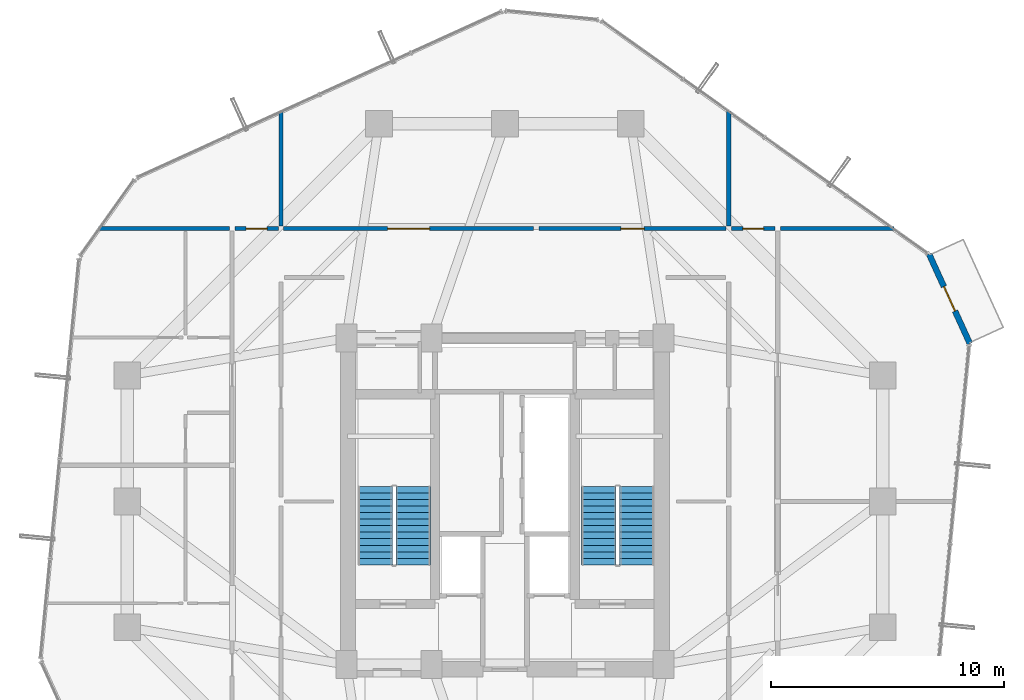
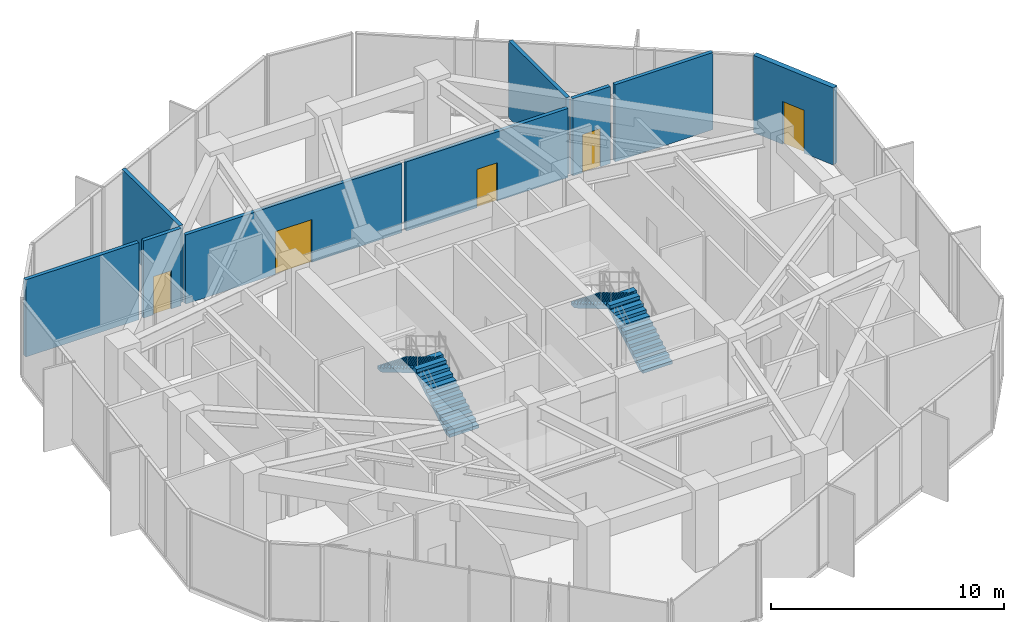
# One storey, part 23 of 25: 9 walls, 5 doors, 4 stair flights, 5 openings, 2 elements without a shape of their own.
"""IFC4 building model written with IfcOpenShell, lengths in metres."""

from ifc_helpers import new_model, si_unit, direction, frame, frame_2d, origin, place, context, subcontext, project, spatial, polyline, rectangle, outline, extrude, source, transform, mapped, material, layer, layer_set, type_object, element, fill, aggregate, save


model = new_model("IFC4")

# Units and contexts
model_context = context("Model", 3, precision=1e-05, world=origin(), true_north=direction((0.0, 1.0)))
body_context = subcontext(model_context, "Body", "Model", "MODEL_VIEW")
ifc_project = project(units=[si_unit("LENGTHUNIT", "METRE"), si_unit("AREAUNIT", "SQUARE_METRE"), si_unit("VOLUMEUNIT", "CUBIC_METRE"), si_unit("PLANEANGLEUNIT", "RADIAN"), si_unit("MASSUNIT", "GRAM", prefix="KILO")], contexts=[model_context])

# Site, building, storey
site_placement = place(None, origin())
site = spatial("IfcSite", under=ifc_project, at=site_placement, CompositionType="ELEMENT")
building_placement = place(site_placement, origin())
building = spatial("IfcBuilding", under=site, at=building_placement, Name="Veraguas Prism Commons", CompositionType="ELEMENT")
storey_placement = place(building_placement, frame((0.0, 0.0, 108.949951171875)))
storey = spatial("IfcBuildingStorey", under=building, at=storey_placement, Name="L30", CompositionType="ELEMENT", Elevation=108.949951171875)

# Walls
ifc_material_1 = material(Name="Autoclaved aerated masonry block 10 MPa", Category="masonry")
ifc_layer_1 = layer(ifc_material_1, 0.179931640625, Name="Corridor and Inter-Tenancy Partition 180", Category="masonry")
ifc_layer_set_1 = layer_set([ifc_layer_1], Name="Autoclaved aerated masonry block 10 MPa")
wall_type_1 = type_object("IfcWallType", Name="Corridor and Inter-Tenancy Partition 180", PredefinedType="PARTITIONING", material=ifc_layer_set_1)
wall_1_placement = place(storey_placement, frame((14.39990234375, 35.820068359375, 0.0), z_axis=(0.0, 0.0, 1.0), x_axis=(0.0, 1.0, 0.0)))
element("IfcWall", 1, at=wall_1_placement, inside=storey, type_object=wall_type_1, Name="WL-L30-PT005", PredefinedType="PARTITIONING", context=body_context, shape_type="SweptSolid", body=[
    extrude(rectangle(XDim=4.91845703125, YDim=0.179931640625, at=frame_2d((2.459228515625, 0.0))), origin(), (0.0, 0.0, 1.0), 4.050048828125),
])
wall_2_placement = place(storey_placement, frame((33.60009765625, 35.820068359375, 0.0), z_axis=(0.0, 0.0, 1.0), x_axis=(0.0, 1.0, 0.0)))
element("IfcWall", 2, at=wall_2_placement, inside=storey, type_object=wall_type_1, Name="WL-L30-PT006", PredefinedType="PARTITIONING", context=body_context, shape_type="SweptSolid", body=[
    extrude(rectangle(XDim=4.931640625, YDim=0.179931640625, at=frame_2d((2.4658203125, 0.0))), origin(), (0.0, 0.0, 1.0), 4.050048828125),
])

# Wall, opening, door
wall_3_placement = place(storey_placement, frame((14.510009765625, 35.699951171875, 0.0), z_axis=(0.0, 0.0, 1.0), x_axis=(1.0, 0.0, 0.0)))
wall_3 = element("IfcWall", 3, at=wall_3_placement, inside=storey, type_object=wall_type_1, Name="WL-L30-PT007", PredefinedType="PARTITIONING", context=body_context, shape_type="SweptSolid", body=[
    extrude(rectangle(XDim=10.723876953125, YDim=0.179931640625, at=frame_2d((5.36181640625, 0.0))), origin(), (0.0, 0.0, 1.0), 3.630126953125),
])
opening_1_placement = place(wall_3_placement, frame((4.4619140625, 0.0, 0.0)))
opening_1 = element("IfcOpeningElement", 4, at=opening_1_placement, cuts=wall_3, Name="Opening DR-07", PredefinedType="OPENING", context=body_context, shape_type="SweptSolid", body=[
    extrude(rectangle(XDim=1.800048828125, YDim=2.25, at=frame_2d((0.89990234375, 1.125))), frame((0.0, 0.099853515625, 0.0), z_axis=(0.0, -1.0, 0.0), x_axis=(1.0, 0.0, 0.0)), (0.0, 0.0, 1.0), 0.199951171875),
])
ifc_material_2 = material(Name="Steel fire-rated door assembly", Category="steel")
door_type_1 = type_object("IfcDoorType", Name="Corridor Double Fire Door 1800x2250", OperationType="NOTDEFINED", PredefinedType="DOOR", material=ifc_material_2)
shared_shape_1 = source(origin(), body_context, "Body", "SweptSolid", [
    extrude(rectangle(XDim=1.800048828125, YDim=2.25, at=frame_2d((0.89990234375, 1.125))), frame((0.0, 0.02490234375, 0.0), z_axis=(0.0, -1.0, 0.0), x_axis=(1.0, 0.0, 0.0)), (0.0, 0.0, 1.0), 0.050048828125),
])
door_1_placement = place(opening_1_placement, origin())
door_1 = element("IfcDoor", 5, at=door_1_placement, inside=storey, type_object=door_type_1, Name="Residents Co-op Library and Reading Hall Door 1", OperationType="SINGLE_SWING_LEFT", OverallHeight=2.25, OverallWidth=1.800048828125, PredefinedType="DOOR", context=body_context, shape_type="MappedRepresentation", body=[
    mapped(shared_shape_1, transform((0.0, 0.0, 0.0), scale=1.0)),
])
fill(opening_1, door_1)

wall_4_placement = place(storey_placement, frame((25.4541015625, 35.699951171875, 0.0), z_axis=(0.0, 0.0, 1.0), x_axis=(1.0, 0.0, 0.0)))
wall_4 = element("IfcWall", 6, at=wall_4_placement, inside=storey, type_object=wall_type_1, Name="WL-L30-PT008", PredefinedType="PARTITIONING", context=body_context, shape_type="SweptSolid", body=[
    extrude(rectangle(XDim=8.035888671875, YDim=0.179931640625, at=frame_2d((4.01806640625, 0.0))), origin(), (0.0, 0.0, 1.0), 3.630126953125),
])
opening_2_placement = place(wall_4_placement, frame((3.51806640625, 0.0, 0.0)))
opening_2 = element("IfcOpeningElement", 7, at=opening_2_placement, cuts=wall_4, Name="Opening DR-13", PredefinedType="OPENING", context=body_context, shape_type="SweptSolid", body=[
    extrude(rectangle(XDim=1.0, YDim=2.010009765625, at=frame_2d((0.5, 1.0048828125))), frame((0.0, 0.099853515625, 0.0), z_axis=(0.0, -1.0, 0.0), x_axis=(1.0, 0.0, 0.0)), (0.0, 0.0, 1.0), 0.199951171875),
])
door_type_2 = type_object("IfcDoorType", Name="Core Accessible WC and Clinic Fire Door 1000x2010", OperationType="NOTDEFINED", PredefinedType="DOOR", material=ifc_material_2)
shared_shape_2 = source(origin(), body_context, "Body", "SweptSolid", [
    extrude(rectangle(XDim=1.0, YDim=2.010009765625, at=frame_2d((0.5, 1.0048828125))), frame((0.0, 0.02490234375, 0.0), z_axis=(0.0, -1.0, 0.0), x_axis=(1.0, 0.0, 0.0)), (0.0, 0.0, 1.0), 0.050048828125),
])
door_2_placement = place(opening_2_placement, origin())
door_2 = element("IfcDoor", 8, at=door_2_placement, inside=storey, type_object=door_type_2, Name="Residents Co-op Library and Reading Hall Door 2", OperationType="SINGLE_SWING_RIGHT", OverallHeight=2.010009765625, OverallWidth=1.0, PredefinedType="DOOR", context=body_context, shape_type="MappedRepresentation", body=[
    mapped(shared_shape_2, transform((0.0, 0.0, 0.0), scale=1.0)),
])
fill(opening_2, door_2)

# Walls
wall_5_placement = place(storey_placement, frame((12.179931640625, 35.699951171875, 0.0), z_axis=(0.0, 0.0, 1.0), x_axis=(-1.0, 0.0, 0.0)))
element("IfcWall", 9, at=wall_5_placement, inside=storey, type_object=wall_type_1, Name="WL-L30-PT010", PredefinedType="PARTITIONING", context=body_context, shape_type="SweptSolid", body=[
    extrude(rectangle(XDim=5.60595703125, YDim=0.179931640625, at=frame_2d((2.802978515625, 0.0))), origin(), (0.0, 0.0, 1.0), 4.050048828125),
])
wall_6_placement = place(storey_placement, frame((35.820068359375, 35.699951171875, 0.0), z_axis=(0.0, 0.0, 1.0), x_axis=(1.0, 0.0, 0.0)))
element("IfcWall", 10, at=wall_6_placement, inside=storey, type_object=wall_type_1, Name="WL-L30-PT025", PredefinedType="PARTITIONING", context=body_context, shape_type="SweptSolid", body=[
    extrude(rectangle(XDim=4.86181640625, YDim=0.179931640625, at=frame_2d((2.430908203125, 0.0))), origin(), (0.0, 0.0, 1.0), 4.050048828125),
])

# Wall, opening, door
wall_7_placement = place(storey_placement, frame((12.419921875, 35.699951171875, 0.0), z_axis=(0.0, 0.0, 1.0), x_axis=(1.0, 0.0, 0.0)))
wall_7 = element("IfcWall", 11, at=wall_7_placement, inside=storey, type_object=wall_type_1, Name="WL-L30-PT037", PredefinedType="PARTITIONING", context=body_context, shape_type="SweptSolid", body=[
    extrude(rectangle(XDim=1.860107421875, YDim=0.179931640625, at=frame_2d((0.93017578125, 0.0))), origin(), (0.0, 0.0, 1.0), 4.050048828125),
])
opening_3_placement = place(wall_7_placement, frame((0.47998046875, 0.0, 0.0)))
opening_3 = element("IfcOpeningElement", 12, at=opening_3_placement, cuts=wall_7, Name="Opening DR-14", PredefinedType="OPENING", context=body_context, shape_type="SweptSolid", body=[
    extrude(rectangle(XDim=0.89990234375, YDim=2.010009765625, at=frame_2d((0.449951171875, 1.0048828125))), frame((0.0, 0.099853515625, 0.0), z_axis=(0.0, -1.0, 0.0), x_axis=(1.0, 0.0, 0.0)), (0.0, 0.0, 1.0), 0.199951171875),
])
door_type_3 = type_object("IfcDoorType", Name="Core Service Room Fire Door 900x2010", OperationType="NOTDEFINED", PredefinedType="DOOR", material=ifc_material_2)
shared_shape_3 = source(origin(), body_context, "Body", "SweptSolid", [
    extrude(rectangle(XDim=0.89990234375, YDim=2.010009765625, at=frame_2d((0.449951171875, 1.0048828125))), frame((0.0, 0.02490234375, 0.0), z_axis=(0.0, -1.0, 0.0), x_axis=(1.0, 0.0, 0.0)), (0.0, 0.0, 1.0), 0.050048828125),
])
door_3_placement = place(opening_3_placement, origin())
door_3 = element("IfcDoor", 13, at=door_3_placement, inside=storey, type_object=door_type_3, Name="Residents Corner Study Room NW Door", OperationType="SINGLE_SWING_LEFT", OverallHeight=2.010009765625, OverallWidth=0.89990234375, PredefinedType="DOOR", context=body_context, shape_type="MappedRepresentation", body=[
    mapped(shared_shape_3, transform((0.0, 0.0, 0.0), scale=1.0)),
])
fill(opening_3, door_3)

wall_8_placement = place(storey_placement, frame((33.719970703125, 35.699951171875, 0.0), z_axis=(0.0, 0.0, 1.0), x_axis=(1.0, 0.0, 0.0)))
wall_8 = element("IfcWall", 14, at=wall_8_placement, inside=storey, type_object=wall_type_1, Name="WL-L30-PT038", PredefinedType="PARTITIONING", context=body_context, shape_type="SweptSolid", body=[
    extrude(rectangle(XDim=1.860107421875, YDim=0.179931640625, at=frame_2d((0.93017578125, 0.0))), origin(), (0.0, 0.0, 1.0), 4.050048828125),
])
opening_4_placement = place(wall_8_placement, frame((0.47998046875, 0.0, 0.0)))
opening_4 = element("IfcOpeningElement", 15, at=opening_4_placement, cuts=wall_8, Name="Opening DR-14", PredefinedType="OPENING", context=body_context, shape_type="SweptSolid", body=[
    extrude(rectangle(XDim=0.89990234375, YDim=2.010009765625, at=frame_2d((0.449951171875, 1.0048828125))), frame((0.0, 0.099853515625, 0.0), z_axis=(0.0, -1.0, 0.0), x_axis=(1.0, 0.0, 0.0)), (0.0, 0.0, 1.0), 0.199951171875),
])
door_4_placement = place(opening_4_placement, origin())
door_4 = element("IfcDoor", 16, at=door_4_placement, inside=storey, type_object=door_type_3, Name="Community Co-op Kitchen NE Door", OperationType="SINGLE_SWING_RIGHT", OverallHeight=2.010009765625, OverallWidth=0.89990234375, PredefinedType="DOOR", context=body_context, shape_type="MappedRepresentation", body=[
    mapped(shared_shape_3, transform((0.0, 0.0, 0.0), scale=1.0)),
])
fill(opening_4, door_4)

ifc_material_3 = material(Name="Precast concrete C40/50", Category="concrete")
ifc_layer_2 = layer(ifc_material_3, 0.25, Name="External Loggia and Portal Wall 250", Category="concrete")
ifc_layer_set_2 = layer_set([ifc_layer_2], Name="Precast concrete C40/50")
wall_type_2 = type_object("IfcWallType", Name="External Loggia and Portal Wall 250", PredefinedType="SOLIDWALL", material=ifc_layer_set_2)
wall_9_placement = place(storey_placement, frame((43.9423828125, 30.76220703125, 0.0), z_axis=(0.0, 0.0, 1.0), x_axis=(-0.414671807114, 0.909971039311, 0.0)))
wall_9 = element("IfcWall", 17, at=wall_9_placement, inside=storey, type_object=wall_type_2, Name="Corner Loggia Wall L30-C1", PredefinedType="SOLIDWALL", context=body_context, shape_type="SweptSolid", body=[
    extrude(rectangle(XDim=4.233154296875, YDim=0.25, at=frame_2d((2.11669921875, 0.0))), origin(), (0.0, 0.0, 1.0), 4.050048828125),
])
opening_5_placement = place(wall_9_placement, frame((1.5419921875, 0.0, 0.0)))
opening_5 = element("IfcOpeningElement", 18, at=opening_5_placement, cuts=wall_9, Name="Opening DR-10", PredefinedType="OPENING", context=body_context, shape_type="SweptSolid", body=[
    extrude(rectangle(XDim=1.14990234375, YDim=2.25, at=frame_2d((0.574951171875, 1.125))), frame((0.0, 0.135009765625, 0.0), z_axis=(0.0, -1.0, 0.0), x_axis=(1.0, 0.0, 0.0)), (0.0, 0.0, 1.0), 0.27001953125),
])
ifc_material_4 = material(Name="Anodised aluminium EN AW-6063 T6", Category="aluminium")
door_type_4 = type_object("IfcDoorType", Name="Glazed Loggia and Terrace Door 1150x2250", OperationType="NOTDEFINED", PredefinedType="DOOR", material=ifc_material_4)
shared_shape_4 = source(origin(), body_context, "Body", "SweptSolid", [
    extrude(rectangle(XDim=1.14990234375, YDim=2.25, at=frame_2d((0.574951171875, 1.125))), frame((0.0, 0.02490234375, 0.0), z_axis=(0.0, -1.0, 0.0), x_axis=(1.0, 0.0, 0.0)), (0.0, 0.0, 1.0), 0.050048828125),
])
door_5_placement = place(opening_5_placement, frame((1.14990234375, 0.0, 0.0), z_axis=(0.0, 0.0, 1.0), x_axis=(-1.0, 0.0, 0.0)))
door_5 = element("IfcDoor", 19, at=door_5_placement, inside=storey, type_object=door_type_4, Name="Recessed Loggia Door L30-C1", OperationType="SINGLE_SWING_RIGHT", OverallHeight=2.25, OverallWidth=1.14990234375, PredefinedType="DOOR", context=body_context, shape_type="MappedRepresentation", body=[
    mapped(shared_shape_4, transform((0.0, 0.0, 0.0), scale=1.0)),
])
fill(opening_5, door_5)

# Stair, stair flights
ifc_material_5 = material(Name="Precast concrete C45/55", Category="concrete")
stair_type = type_object("IfcStairType", Name="Dogleg Core Stair 1480W 26R 06", PredefinedType="HALF_TURN_STAIR", material=ifc_material_5)
stair_1_placement = place(storey_placement, origin())
stair_1 = element("IfcStair", 20, at=stair_1_placement, inside=storey, type_object=stair_type, Name="Protected Exit Stair ST-01 L30", PredefinedType="HALF_TURN_STAIR")
stair_flight_type = type_object("IfcStairFlightType", Name="Precast Stair Flight 1480W 13R 06", PredefinedType="STRAIGHT", material=ifc_material_5)
stair_flight_1_placement = place(storey_placement, frame((20.06005859375, 21.280029296875, 0.0), z_axis=(0.0, 0.0, 1.0), x_axis=(0.0, 1.0, 0.0)))
stair_flight_1 = element("IfcStairFlight", 21, at=stair_flight_1_placement, type_object=stair_flight_type, Name="ST-06 Flight 1", NumberOfRisers=13, NumberOfTreads=12, PredefinedType="STRAIGHT", RiserHeight=0.165384615, TreadLength=0.28, context=body_context, shape_type="SweptSolid", body=[
    extrude(outline(polyline([(0.0, 0.0), (0.0, 0.165283203125), (0.280029296875, 0.165283203125), (0.280029296875, 0.330810546875), (0.56005859375, 0.330810546875), (0.56005859375, 0.49609375), (0.840087890625, 0.49609375), (0.840087890625, 0.66162109375), (1.1201171875, 0.66162109375), (1.1201171875, 0.826904296875), (1.39990234375, 0.826904296875), (1.39990234375, 0.9921875), (1.679931640625, 0.9921875), (1.679931640625, 1.15771484375), (1.9599609375, 1.15771484375), (1.9599609375, 1.322998046875), (2.239990234375, 1.322998046875), (2.239990234375, 1.488525390625), (2.52001953125, 1.488525390625), (2.52001953125, 1.65380859375), (2.800048828125, 1.65380859375), (2.800048828125, 1.8193359375), (3.080078125, 1.8193359375), (3.080078125, 1.984619140625), (3.360107421875, 1.984619140625), (3.360107421875, 2.14990234375), (3.360107421875, 1.810546875), (0.294677734375, 0.0), (0.0, 0.0)])), frame((0.0, 0.739990234375, 0.0), z_axis=(0.0, -1.0, 0.0), x_axis=(1.0, 0.0, 0.0)), (0.0, 0.0, 1.0), 1.47998046875),
])
stair_flight_2_placement = place(storey_placement, frame((18.429931640625, 24.639892578125, 2.150146484375), z_axis=(0.0, 0.0, 1.0), x_axis=(0.0, -1.0, 0.0)))
stair_flight_2 = element("IfcStairFlight", 22, at=stair_flight_2_placement, type_object=stair_flight_type, Name="ST-06 Flight 2", NumberOfRisers=13, NumberOfTreads=12, PredefinedType="STRAIGHT", RiserHeight=0.165384615, TreadLength=0.28, context=body_context, shape_type="SweptSolid", body=[
    extrude(outline(polyline([(0.0, 0.0), (0.0, 0.165283203125), (0.280029296875, 0.165283203125), (0.280029296875, 0.330810546875), (0.56005859375, 0.330810546875), (0.56005859375, 0.49609375), (0.840087890625, 0.49609375), (0.840087890625, 0.66162109375), (1.1201171875, 0.66162109375), (1.1201171875, 0.826904296875), (1.39990234375, 0.826904296875), (1.39990234375, 0.9921875), (1.679931640625, 0.9921875), (1.679931640625, 1.15771484375), (1.9599609375, 1.15771484375), (1.9599609375, 1.322998046875), (2.239990234375, 1.322998046875), (2.239990234375, 1.488525390625), (2.52001953125, 1.488525390625), (2.52001953125, 1.65380859375), (2.800048828125, 1.65380859375), (2.800048828125, 1.8193359375), (3.080078125, 1.8193359375), (3.080078125, 1.984619140625), (3.360107421875, 1.984619140625), (3.360107421875, 2.14990234375), (3.360107421875, 1.810546875), (0.294677734375, 0.0), (0.0, 0.0)])), frame((0.0, 0.739990234375, 0.0), z_axis=(0.0, -1.0, 0.0), x_axis=(1.0, 0.0, 0.0)), (0.0, 0.0, 1.0), 1.47998046875),
])
aggregate(stair_1, [stair_flight_1, stair_flight_2])

stair_2_placement = place(storey_placement, origin())
stair_2 = element("IfcStair", 23, at=stair_2_placement, inside=storey, type_object=stair_type, Name="Protected Exit Stair ST-02 L30", PredefinedType="HALF_TURN_STAIR")
stair_flight_3_placement = place(storey_placement, frame((29.659912109375, 21.280029296875, 0.0), z_axis=(0.0, 0.0, 1.0), x_axis=(0.0, 1.0, 0.0)))
stair_flight_3 = element("IfcStairFlight", 24, at=stair_flight_3_placement, type_object=stair_flight_type, Name="ST-06 Flight 1", NumberOfRisers=13, NumberOfTreads=12, PredefinedType="STRAIGHT", RiserHeight=0.165384615, TreadLength=0.28, context=body_context, shape_type="SweptSolid", body=[
    extrude(outline(polyline([(0.0, 0.0), (0.0, 0.165283203125), (0.280029296875, 0.165283203125), (0.280029296875, 0.330810546875), (0.56005859375, 0.330810546875), (0.56005859375, 0.49609375), (0.840087890625, 0.49609375), (0.840087890625, 0.66162109375), (1.1201171875, 0.66162109375), (1.1201171875, 0.826904296875), (1.39990234375, 0.826904296875), (1.39990234375, 0.9921875), (1.679931640625, 0.9921875), (1.679931640625, 1.15771484375), (1.9599609375, 1.15771484375), (1.9599609375, 1.322998046875), (2.239990234375, 1.322998046875), (2.239990234375, 1.488525390625), (2.52001953125, 1.488525390625), (2.52001953125, 1.65380859375), (2.800048828125, 1.65380859375), (2.800048828125, 1.8193359375), (3.080078125, 1.8193359375), (3.080078125, 1.984619140625), (3.360107421875, 1.984619140625), (3.360107421875, 2.14990234375), (3.360107421875, 1.810546875), (0.294677734375, 0.0), (0.0, 0.0)])), frame((0.0, 0.739990234375, 0.0), z_axis=(0.0, -1.0, 0.0), x_axis=(1.0, 0.0, 0.0)), (0.0, 0.0, 1.0), 1.47998046875),
])
stair_flight_4_placement = place(storey_placement, frame((28.030029296875, 24.639892578125, 2.150146484375), z_axis=(0.0, 0.0, 1.0), x_axis=(0.0, -1.0, 0.0)))
stair_flight_4 = element("IfcStairFlight", 25, at=stair_flight_4_placement, type_object=stair_flight_type, Name="ST-06 Flight 2", NumberOfRisers=13, NumberOfTreads=12, PredefinedType="STRAIGHT", RiserHeight=0.165384615, TreadLength=0.28, context=body_context, shape_type="SweptSolid", body=[
    extrude(outline(polyline([(0.0, 0.0), (0.0, 0.165283203125), (0.280029296875, 0.165283203125), (0.280029296875, 0.330810546875), (0.56005859375, 0.330810546875), (0.56005859375, 0.49609375), (0.840087890625, 0.49609375), (0.840087890625, 0.66162109375), (1.1201171875, 0.66162109375), (1.1201171875, 0.826904296875), (1.39990234375, 0.826904296875), (1.39990234375, 0.9921875), (1.679931640625, 0.9921875), (1.679931640625, 1.15771484375), (1.9599609375, 1.15771484375), (1.9599609375, 1.322998046875), (2.239990234375, 1.322998046875), (2.239990234375, 1.488525390625), (2.52001953125, 1.488525390625), (2.52001953125, 1.65380859375), (2.800048828125, 1.65380859375), (2.800048828125, 1.8193359375), (3.080078125, 1.8193359375), (3.080078125, 1.984619140625), (3.360107421875, 1.984619140625), (3.360107421875, 2.14990234375), (3.360107421875, 1.810546875), (0.294677734375, 0.0), (0.0, 0.0)])), frame((0.0, 0.739990234375, 0.0), z_axis=(0.0, -1.0, 0.0), x_axis=(1.0, 0.0, 0.0)), (0.0, 0.0, 1.0), 1.47998046875),
])
aggregate(stair_2, [stair_flight_3, stair_flight_4])

save(model, "model.ifc")
